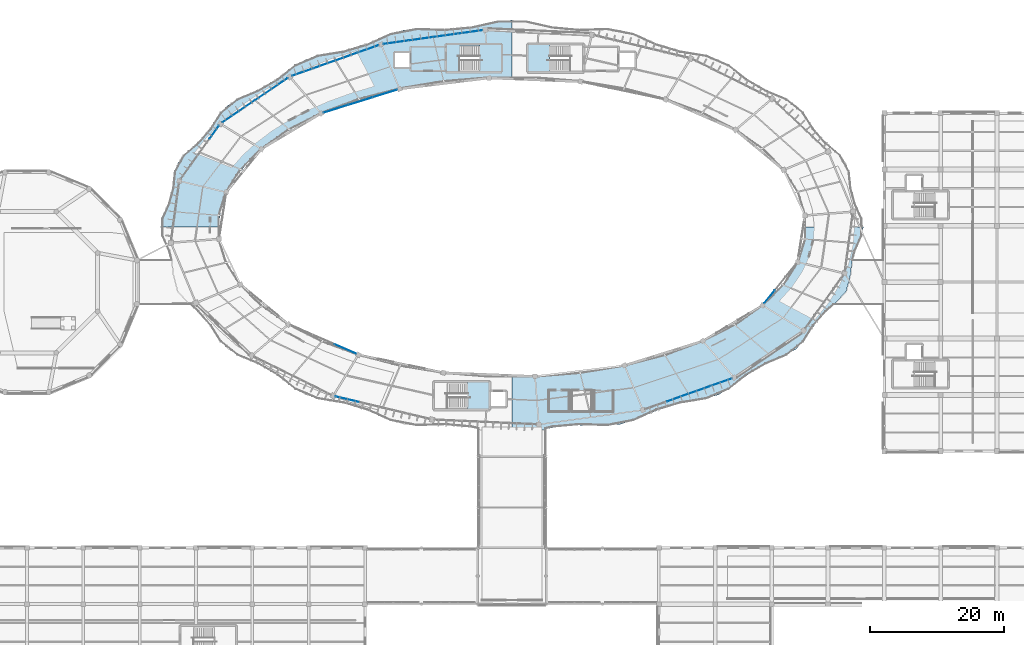
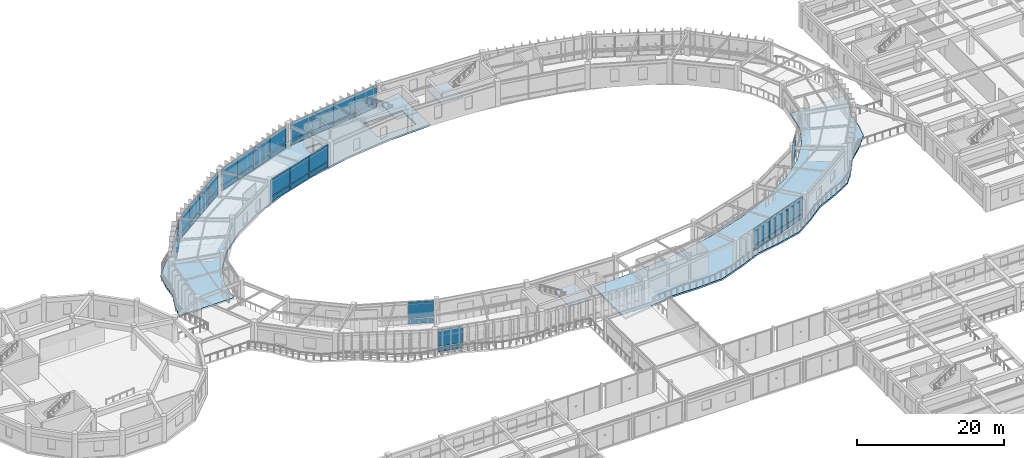
# One storey, part 114 of 152: 44 plates, 5 slabs, 12 elements without a shape of their own.
"""IFC4 building model written with IfcOpenShell, lengths in metres."""

from ifc_helpers import new_model, si_unit, direction, frame, origin, origin_2d, place, context, subcontext, project, spatial, polyline, rectangle, outline, extrude, material, layer, layer_set, type_object, element, aggregate, save


model = new_model("IFC4")

# Units and contexts
model_context = context("Model", 3, precision=1e-05, world=origin(), true_north=direction((0.0, 1.0)))
body_context = subcontext(model_context, "Body", "Model", "MODEL_VIEW")
ifc_project = project(units=[si_unit("LENGTHUNIT", "METRE"), si_unit("AREAUNIT", "SQUARE_METRE"), si_unit("VOLUMEUNIT", "CUBIC_METRE"), si_unit("PLANEANGLEUNIT", "RADIAN"), si_unit("MASSUNIT", "GRAM", prefix="KILO"), si_unit("THERMODYNAMICTEMPERATUREUNIT", "KELVIN"), si_unit("POWERUNIT", "WATT")], contexts=[model_context])

# Site, building, storey
site_placement = place(None, origin())
site = spatial("IfcSite", under=ifc_project, at=site_placement, CompositionType="ELEMENT")
building_placement = place(site_placement, origin())
building = spatial("IfcBuilding", under=site, at=building_placement, Name="Darbajah Civic Hall", CompositionType="ELEMENT")
storey_placement = place(building_placement, frame((0.0, 0.0, 5.39990234375)))
storey = spatial("IfcBuildingStorey", under=building, at=storey_placement, Name="L01", CompositionType="ELEMENT", Elevation=5.39990234375)

# Curtain wall, plates
ifc_material_1 = material(Name="Anodised Bronze Aluminium and Low-E Glazing", Category="aluminium")
curtain_wall_type_1 = type_object("IfcCurtainWallType", Name="Unitised Curtain Wall CW-23 14900x3900", PredefinedType="USERDEFINED", material=ifc_material_1)
curtain_wall_1_placement = place(storey_placement, origin())
curtain_wall_1 = element("IfcCurtainWall", 1, at=curtain_wall_1_placement, inside=storey, type_object=curtain_wall_type_1, Name="L01 unitised curtain wall CW-V1O-L01-05", ObjectType="UNITISED CURTAIN WALL", PredefinedType="USERDEFINED")
ifc_material_2 = material(Name="Low-E Solar Control Double Glazing", Category="glass")
ifc_layer_1 = layer(ifc_material_2, 0.02392578125, Name="Low-E Solar Control Double Glazing")
ifc_layer_set_1 = layer_set([ifc_layer_1], Name="Low-E Solar Control Double Glazing")
plate_type_1 = type_object("IfcPlateType", Name="Solar Double Glazing 24mm", PredefinedType="CURTAIN_PANEL", material=ifc_layer_set_1)
plate_1_placement = place(storey_placement, frame((82.879150390625, 118.90087890625, 0.10009765625), z_axis=(0.0, 0.0, 1.0), x_axis=(-0.990485459553, -0.137617420457, 0.0)))
plate_1 = element("IfcPlate", 2, at=plate_1_placement, type_object=plate_type_1, Name="CW-V1O-L01-05 glazed panel 1.1", PredefinedType="CURTAIN_PANEL", context=body_context, shape_type="SweptSolid", body=[
    extrude(rectangle(XDim=3.66259765625, YDim=0.02392578125, at=origin_2d()), origin(), (0.0, 0.0, 1.0), 0.800048828125),
])
plate_2_placement = place(storey_placement, frame((82.879150390625, 118.90087890625, 1.0), z_axis=(0.0, 0.0, 1.0), x_axis=(-0.990485459553, -0.137617420457, 0.0)))
plate_2 = element("IfcPlate", 3, at=plate_2_placement, type_object=plate_type_1, Name="CW-V1O-L01-05 glazed panel 1.2", PredefinedType="CURTAIN_PANEL", context=body_context, shape_type="SweptSolid", body=[
    extrude(rectangle(XDim=3.66259765625, YDim=0.02392578125, at=origin_2d()), origin(), (0.0, 0.0, 1.0), 2.820068359375),
])
plate_3_placement = place(storey_placement, frame((79.18701171875, 118.38818359375, 0.10009765625), z_axis=(0.0, 0.0, 1.0), x_axis=(-0.990485459553, -0.137617420457, 0.0)))
plate_3 = element("IfcPlate", 4, at=plate_3_placement, type_object=plate_type_1, Name="CW-V1O-L01-05 glazed panel 2.1", PredefinedType="CURTAIN_PANEL", context=body_context, shape_type="SweptSolid", body=[
    extrude(rectangle(XDim=3.66259765625, YDim=0.02392578125, at=origin_2d()), origin(), (0.0, 0.0, 1.0), 0.800048828125),
])
plate_4_placement = place(storey_placement, frame((79.18701171875, 118.38818359375, 1.0), z_axis=(0.0, 0.0, 1.0), x_axis=(-0.990485459553, -0.137617420457, 0.0)))
plate_4 = element("IfcPlate", 5, at=plate_4_placement, type_object=plate_type_1, Name="CW-V1O-L01-05 glazed panel 2.2", PredefinedType="CURTAIN_PANEL", context=body_context, shape_type="SweptSolid", body=[
    extrude(rectangle(XDim=3.66259765625, YDim=0.02392578125, at=origin_2d()), origin(), (0.0, 0.0, 1.0), 2.820068359375),
])
plate_5_placement = place(storey_placement, frame((75.494873046875, 117.87548828125, 0.10009765625), z_axis=(0.0, 0.0, 1.0), x_axis=(-0.990485459553, -0.137617420457, 0.0)))
plate_5 = element("IfcPlate", 6, at=plate_5_placement, type_object=plate_type_1, Name="CW-V1O-L01-05 glazed panel 3.1", PredefinedType="CURTAIN_PANEL", context=body_context, shape_type="SweptSolid", body=[
    extrude(rectangle(XDim=3.66259765625, YDim=0.02392578125, at=origin_2d()), origin(), (0.0, 0.0, 1.0), 0.800048828125),
])
plate_6_placement = place(storey_placement, frame((75.494873046875, 117.87548828125, 1.0), z_axis=(0.0, 0.0, 1.0), x_axis=(-0.990485459553, -0.137617420457, 0.0)))
plate_6 = element("IfcPlate", 7, at=plate_6_placement, type_object=plate_type_1, Name="CW-V1O-L01-05 glazed panel 3.2", PredefinedType="CURTAIN_PANEL", context=body_context, shape_type="SweptSolid", body=[
    extrude(rectangle(XDim=3.66259765625, YDim=0.02392578125, at=origin_2d()), origin(), (0.0, 0.0, 1.0), 2.820068359375),
])
plate_7_placement = place(storey_placement, frame((71.802490234375, 117.36279296875, 0.10009765625), z_axis=(0.0, 0.0, 1.0), x_axis=(-0.990485459553, -0.137617420457, 0.0)))
plate_7 = element("IfcPlate", 8, at=plate_7_placement, type_object=plate_type_1, Name="CW-V1O-L01-05 glazed panel 4.1", PredefinedType="CURTAIN_PANEL", context=body_context, shape_type="SweptSolid", body=[
    extrude(rectangle(XDim=3.66259765625, YDim=0.02392578125, at=origin_2d()), origin(), (0.0, 0.0, 1.0), 0.800048828125),
])
plate_8_placement = place(storey_placement, frame((71.802490234375, 117.36279296875, 1.0), z_axis=(0.0, 0.0, 1.0), x_axis=(-0.990485459553, -0.137617420457, 0.0)))
plate_8 = element("IfcPlate", 9, at=plate_8_placement, type_object=plate_type_1, Name="CW-V1O-L01-05 glazed panel 4.2", PredefinedType="CURTAIN_PANEL", context=body_context, shape_type="SweptSolid", body=[
    extrude(rectangle(XDim=3.66259765625, YDim=0.02392578125, at=origin_2d()), origin(), (0.0, 0.0, 1.0), 2.820068359375),
])
aggregate(curtain_wall_1, [plate_1, plate_2, plate_3, plate_4, plate_5, plate_6, plate_7, plate_8])

curtain_wall_type_2 = type_object("IfcCurtainWallType", Name="Unitised Curtain Wall CW-27 9700x3900", PredefinedType="USERDEFINED", material=ifc_material_1)
curtain_wall_2_placement = place(storey_placement, origin())
curtain_wall_2 = element("IfcCurtainWall", 10, at=curtain_wall_2_placement, inside=storey, type_object=curtain_wall_type_2, Name="L01 unitised curtain wall CW-V1O-L01-08", ObjectType="UNITISED CURTAIN WALL", PredefinedType="USERDEFINED")
plate_9_placement = place(storey_placement, frame((44.6875, 103.91796875, 0.10009765625), z_axis=(0.0, 0.0, 1.0), x_axis=(-0.582264874145, -0.812999149039, 0.0)))
plate_9 = element("IfcPlate", 11, at=plate_9_placement, type_object=plate_type_1, Name="CW-V1O-L01-08 glazed panel 1.1", PredefinedType="CURTAIN_PANEL", context=body_context, shape_type="SweptSolid", body=[
    extrude(rectangle(XDim=2.368408203125, YDim=0.02392578125, at=origin_2d()), origin(), (0.0, 0.0, 1.0), 0.800048828125),
])
plate_10_placement = place(storey_placement, frame((44.6875, 103.91796875, 1.0), z_axis=(0.0, 0.0, 1.0), x_axis=(-0.582264874145, -0.812999149039, 0.0)))
plate_10 = element("IfcPlate", 12, at=plate_10_placement, type_object=plate_type_1, Name="CW-V1O-L01-08 glazed panel 1.2", PredefinedType="CURTAIN_PANEL", context=body_context, shape_type="SweptSolid", body=[
    extrude(rectangle(XDim=2.368408203125, YDim=0.02392578125, at=origin_2d()), origin(), (0.0, 0.0, 1.0), 2.820068359375),
])
aggregate(curtain_wall_2, [plate_9, plate_10])

curtain_wall_type_3 = type_object("IfcCurtainWallType", Name="Unitised Curtain Wall CW-25 11500x3900", PredefinedType="USERDEFINED", material=ifc_material_1)
curtain_wall_3_placement = place(storey_placement, origin())
curtain_wall_3 = element("IfcCurtainWall", 13, at=curtain_wall_3_placement, inside=storey, type_object=curtain_wall_type_3, Name="L01 unitised curtain wall CW-V1I-L01-06", ObjectType="UNITISED CURTAIN WALL", PredefinedType="USERDEFINED")
ifc_layer_2 = layer(ifc_material_2, 0.028076171875, Name="Low-E Solar Control Double Glazing")
ifc_layer_set_2 = layer_set([ifc_layer_2], Name="Low-E Solar Control Double Glazing")
plate_type_2 = type_object("IfcPlateType", Name="Solar Double Glazing 28mm", PredefinedType="CURTAIN_PANEL", material=ifc_layer_set_2)
plate_11_placement = place(storey_placement, frame((70.1669921875, 109.72509765625, 0.1201171875), z_axis=(0.0, 0.0, 1.0), x_axis=(-0.954604963513, -0.297874744877, 0.0)))
plate_11 = element("IfcPlate", 14, at=plate_11_placement, type_object=plate_type_2, Name="CW-V1I-L01-06 glazed panel 1.1", PredefinedType="CURTAIN_PANEL", context=body_context, shape_type="SweptSolid", body=[
    extrude(rectangle(XDim=3.775390625, YDim=0.028076171875, at=origin_2d()), origin(), (0.0, 0.0, 1.0), 0.77001953125),
])
plate_12_placement = place(storey_placement, frame((70.1669921875, 109.72509765625, 1.010009765625), z_axis=(0.0, 0.0, 1.0), x_axis=(-0.954604963513, -0.297874744877, 0.0)))
plate_12 = element("IfcPlate", 15, at=plate_12_placement, type_object=plate_type_2, Name="CW-V1I-L01-06 glazed panel 1.2", PredefinedType="CURTAIN_PANEL", context=body_context, shape_type="SweptSolid", body=[
    extrude(rectangle(XDim=3.775390625, YDim=0.028076171875, at=origin_2d()), origin(), (0.0, 0.0, 1.0), 2.7900390625),
])
plate_13_placement = place(storey_placement, frame((66.496337890625, 108.579833984375, 0.1201171875), z_axis=(0.0, 0.0, 1.0), x_axis=(-0.954604963513, -0.297874744877, 0.0)))
plate_13 = element("IfcPlate", 16, at=plate_13_placement, type_object=plate_type_2, Name="CW-V1I-L01-06 glazed panel 2.1", PredefinedType="CURTAIN_PANEL", context=body_context, shape_type="SweptSolid", body=[
    extrude(rectangle(XDim=3.775390625, YDim=0.028076171875, at=origin_2d()), origin(), (0.0, 0.0, 1.0), 0.77001953125),
])
plate_14_placement = place(storey_placement, frame((66.496337890625, 108.579833984375, 1.010009765625), z_axis=(0.0, 0.0, 1.0), x_axis=(-0.954604963513, -0.297874744877, 0.0)))
plate_14 = element("IfcPlate", 17, at=plate_14_placement, type_object=plate_type_2, Name="CW-V1I-L01-06 glazed panel 2.2", PredefinedType="CURTAIN_PANEL", context=body_context, shape_type="SweptSolid", body=[
    extrude(rectangle(XDim=3.775390625, YDim=0.028076171875, at=origin_2d()), origin(), (0.0, 0.0, 1.0), 2.7900390625),
])
plate_15_placement = place(storey_placement, frame((62.82568359375, 107.4345703125, 0.1201171875), z_axis=(0.0, 0.0, 1.0), x_axis=(-0.954604963513, -0.297874744877, 0.0)))
plate_15 = element("IfcPlate", 18, at=plate_15_placement, type_object=plate_type_2, Name="CW-V1I-L01-06 glazed panel 3.1", PredefinedType="CURTAIN_PANEL", context=body_context, shape_type="SweptSolid", body=[
    extrude(rectangle(XDim=3.775390625, YDim=0.028076171875, at=origin_2d()), origin(), (0.0, 0.0, 1.0), 0.77001953125),
])
plate_16_placement = place(storey_placement, frame((62.82568359375, 107.4345703125, 1.010009765625), z_axis=(0.0, 0.0, 1.0), x_axis=(-0.954604963513, -0.297874744877, 0.0)))
plate_16 = element("IfcPlate", 19, at=plate_16_placement, type_object=plate_type_2, Name="CW-V1I-L01-06 glazed panel 3.2", PredefinedType="CURTAIN_PANEL", context=body_context, shape_type="SweptSolid", body=[
    extrude(rectangle(XDim=3.775390625, YDim=0.028076171875, at=origin_2d()), origin(), (0.0, 0.0, 1.0), 2.7900390625),
])
aggregate(curtain_wall_3, [plate_11, plate_12, plate_13, plate_14, plate_15, plate_16])

curtain_wall_type_4 = type_object("IfcCurtainWallType", Name="Unitised Curtain Wall CW-26 11800x3900", PredefinedType="USERDEFINED", material=ifc_material_1)
curtain_wall_4_placement = place(storey_placement, origin())
curtain_wall_4 = element("IfcCurtainWall", 20, at=curtain_wall_4_placement, inside=storey, type_object=curtain_wall_type_4, Name="L01 unitised curtain wall CW-V1O-L01-07", ObjectType="UNITISED CURTAIN WALL", PredefinedType="USERDEFINED")
plate_17_placement = place(storey_placement, frame((54.44873046875, 111.1962890625, 0.1201171875), z_axis=(0.0, 0.0, 1.0), x_axis=(-0.827962472047, -0.560783509816, 0.0)))
plate_17 = element("IfcPlate", 21, at=plate_17_placement, type_object=plate_type_2, Name="CW-V1O-L01-07 glazed panel 1.1", PredefinedType="CURTAIN_PANEL", context=body_context, shape_type="SweptSolid", body=[
    extrude(rectangle(XDim=2.870361328125, YDim=0.028076171875, at=origin_2d()), origin(), (0.0, 0.0, 1.0), 0.77001953125),
])
plate_18_placement = place(storey_placement, frame((54.44873046875, 111.1962890625, 1.010009765625), z_axis=(0.0, 0.0, 1.0), x_axis=(-0.827962472047, -0.560783509816, 0.0)))
plate_18 = element("IfcPlate", 22, at=plate_18_placement, type_object=plate_type_2, Name="CW-V1O-L01-07 glazed panel 1.2", PredefinedType="CURTAIN_PANEL", context=body_context, shape_type="SweptSolid", body=[
    extrude(rectangle(XDim=2.870361328125, YDim=0.028076171875, at=origin_2d()), origin(), (0.0, 0.0, 1.0), 2.7900390625),
])
plate_19_placement = place(storey_placement, frame((52.013916015625, 109.54736328125, 0.1201171875), z_axis=(0.0, 0.0, 1.0), x_axis=(-0.827962472047, -0.560783509816, 0.0)))
plate_19 = element("IfcPlate", 23, at=plate_19_placement, type_object=plate_type_2, Name="CW-V1O-L01-07 glazed panel 2.1", PredefinedType="CURTAIN_PANEL", context=body_context, shape_type="SweptSolid", body=[
    extrude(rectangle(XDim=2.870361328125, YDim=0.028076171875, at=origin_2d()), origin(), (0.0, 0.0, 1.0), 0.77001953125),
])
plate_20_placement = place(storey_placement, frame((52.013916015625, 109.54736328125, 1.010009765625), z_axis=(0.0, 0.0, 1.0), x_axis=(-0.827962472047, -0.560783509816, 0.0)))
plate_20 = element("IfcPlate", 24, at=plate_20_placement, type_object=plate_type_2, Name="CW-V1O-L01-07 glazed panel 2.2", PredefinedType="CURTAIN_PANEL", context=body_context, shape_type="SweptSolid", body=[
    extrude(rectangle(XDim=2.870361328125, YDim=0.028076171875, at=origin_2d()), origin(), (0.0, 0.0, 1.0), 2.7900390625),
])
plate_21_placement = place(storey_placement, frame((49.57958984375, 107.8984375, 0.1201171875), z_axis=(0.0, 0.0, 1.0), x_axis=(-0.827962472047, -0.560783509816, 0.0)))
plate_21 = element("IfcPlate", 25, at=plate_21_placement, type_object=plate_type_2, Name="CW-V1O-L01-07 glazed panel 3.1", PredefinedType="CURTAIN_PANEL", context=body_context, shape_type="SweptSolid", body=[
    extrude(rectangle(XDim=2.870361328125, YDim=0.028076171875, at=origin_2d()), origin(), (0.0, 0.0, 1.0), 0.77001953125),
])
plate_22_placement = place(storey_placement, frame((49.57958984375, 107.8984375, 1.010009765625), z_axis=(0.0, 0.0, 1.0), x_axis=(-0.827962472047, -0.560783509816, 0.0)))
plate_22 = element("IfcPlate", 26, at=plate_22_placement, type_object=plate_type_2, Name="CW-V1O-L01-07 glazed panel 3.2", PredefinedType="CURTAIN_PANEL", context=body_context, shape_type="SweptSolid", body=[
    extrude(rectangle(XDim=2.870361328125, YDim=0.028076171875, at=origin_2d()), origin(), (0.0, 0.0, 1.0), 2.7900390625),
])
plate_23_placement = place(storey_placement, frame((47.144775390625, 106.24951171875, 0.1201171875), z_axis=(0.0, 0.0, 1.0), x_axis=(-0.827962472047, -0.560783509816, 0.0)))
plate_23 = element("IfcPlate", 27, at=plate_23_placement, type_object=plate_type_2, Name="CW-V1O-L01-07 glazed panel 4.1", PredefinedType="CURTAIN_PANEL", context=body_context, shape_type="SweptSolid", body=[
    extrude(rectangle(XDim=2.870361328125, YDim=0.028076171875, at=origin_2d()), origin(), (0.0, 0.0, 1.0), 0.77001953125),
])
plate_24_placement = place(storey_placement, frame((47.144775390625, 106.24951171875, 1.010009765625), z_axis=(0.0, 0.0, 1.0), x_axis=(-0.827962472047, -0.560783509816, 0.0)))
plate_24 = element("IfcPlate", 28, at=plate_24_placement, type_object=plate_type_2, Name="CW-V1O-L01-07 glazed panel 4.2", PredefinedType="CURTAIN_PANEL", context=body_context, shape_type="SweptSolid", body=[
    extrude(rectangle(XDim=2.870361328125, YDim=0.028076171875, at=origin_2d()), origin(), (0.0, 0.0, 1.0), 2.7900390625),
])
aggregate(curtain_wall_4, [plate_17, plate_18, plate_19, plate_20, plate_21, plate_22, plate_23, plate_24])

curtain_wall_type_5 = type_object("IfcCurtainWallType", Name="Unitised Curtain Wall CW-19 10700x3900", PredefinedType="USERDEFINED", material=ifc_material_1)
curtain_wall_5_placement = place(storey_placement, origin())
curtain_wall_5 = element("IfcCurtainWall", 29, at=curtain_wall_5_placement, inside=storey, type_object=curtain_wall_type_5, Name="L01 unitised curtain wall CW-V1I-L01-12", ObjectType="UNITISED CURTAIN WALL", PredefinedType="USERDEFINED")
plate_25_placement = place(storey_placement, frame((64.2626953125, 71.635009765625, 0.1201171875), z_axis=(0.0, 0.0, 1.0), x_axis=(0.917060074385, -0.398749068925, 0.0)))
plate_25 = element("IfcPlate", 30, at=plate_25_placement, type_object=plate_type_2, Name="CW-V1I-L01-12 glazed panel 3.1", PredefinedType="CURTAIN_PANEL", context=body_context, shape_type="SweptSolid", body=[
    extrude(rectangle(XDim=3.48291015625, YDim=0.028076171875, at=origin_2d()), origin(), (0.0, 0.0, 1.0), 0.77001953125),
])
plate_26_placement = place(storey_placement, frame((64.2626953125, 71.635009765625, 1.010009765625), z_axis=(0.0, 0.0, 1.0), x_axis=(0.917060074385, -0.398749068925, 0.0)))
plate_26 = element("IfcPlate", 31, at=plate_26_placement, type_object=plate_type_2, Name="CW-V1I-L01-12 glazed panel 3.2", PredefinedType="CURTAIN_PANEL", context=body_context, shape_type="SweptSolid", body=[
    extrude(rectangle(XDim=3.48291015625, YDim=0.028076171875, at=origin_2d()), origin(), (0.0, 0.0, 1.0), 2.7900390625),
])
aggregate(curtain_wall_5, [plate_25, plate_26])

curtain_wall_type_6 = type_object("IfcCurtainWallType", Name="Unitised Curtain Wall CW-31 14400x3900", PredefinedType="USERDEFINED", material=ifc_material_1)
curtain_wall_6_placement = place(storey_placement, origin())
curtain_wall_6 = element("IfcCurtainWall", 32, at=curtain_wall_6_placement, inside=storey, type_object=curtain_wall_type_6, Name="L01 unitised curtain wall CW-V1O-L01-13", ObjectType="UNITISED CURTAIN WALL", PredefinedType="USERDEFINED")
plate_27_placement = place(storey_placement, frame((64.5703125, 64.139892578125, 0.1201171875), z_axis=(0.0, 0.0, 1.0), x_axis=(0.972492018808, -0.232936200179, 0.0)))
plate_27 = element("IfcPlate", 33, at=plate_27_placement, type_object=plate_type_2, Name="CW-V1O-L01-13 glazed panel 1.1", PredefinedType="CURTAIN_PANEL", context=body_context, shape_type="SweptSolid", body=[
    extrude(rectangle(XDim=3.53125, YDim=0.028076171875, at=origin_2d()), origin(), (0.0, 0.0, 1.0), 0.77001953125),
])
plate_28_placement = place(storey_placement, frame((64.5703125, 64.139892578125, 1.010009765625), z_axis=(0.0, 0.0, 1.0), x_axis=(0.972492018808, -0.232936200179, 0.0)))
plate_28 = element("IfcPlate", 34, at=plate_28_placement, type_object=plate_type_2, Name="CW-V1O-L01-13 glazed panel 1.2", PredefinedType="CURTAIN_PANEL", context=body_context, shape_type="SweptSolid", body=[
    extrude(rectangle(XDim=3.53125, YDim=0.028076171875, at=origin_2d()), origin(), (0.0, 0.0, 1.0), 2.7900390625),
])
aggregate(curtain_wall_6, [plate_27, plate_28])

curtain_wall_type_7 = type_object("IfcCurtainWallType", Name="Unitised Curtain Wall CW-33 13700x3900", PredefinedType="USERDEFINED", material=ifc_material_1)
curtain_wall_7_placement = place(storey_placement, origin())
curtain_wall_7 = element("IfcCurtainWall", 35, at=curtain_wall_7_placement, inside=storey, type_object=curtain_wall_type_7, Name="L01 unitised curtain wall CW-V1O-L01-16", ObjectType="UNITISED CURTAIN WALL", PredefinedType="USERDEFINED")
plate_29_placement = place(storey_placement, frame((113.8076171875, 64.385498046875, 0.1201171875), z_axis=(0.0, 0.0, 1.0), x_axis=(0.94252491309, 0.334135882844, 0.0)))
plate_29 = element("IfcPlate", 36, at=plate_29_placement, type_object=plate_type_2, Name="CW-V1O-L01-16 glazed panel 2.1", PredefinedType="CURTAIN_PANEL", context=body_context, shape_type="SweptSolid", body=[
    extrude(rectangle(XDim=3.35009765625, YDim=0.028076171875, at=origin_2d()), origin(), (0.0, 0.0, 1.0), 0.77001953125),
])
plate_30_placement = place(storey_placement, frame((113.8076171875, 64.385498046875, 1.010009765625), z_axis=(0.0, 0.0, 1.0), x_axis=(0.94252491309, 0.334135882844, 0.0)))
plate_30 = element("IfcPlate", 37, at=plate_30_placement, type_object=plate_type_2, Name="CW-V1O-L01-16 glazed panel 2.2", PredefinedType="CURTAIN_PANEL", context=body_context, shape_type="SweptSolid", body=[
    extrude(rectangle(XDim=3.35009765625, YDim=0.028076171875, at=origin_2d()), origin(), (0.0, 0.0, 1.0), 2.7900390625),
])
plate_31_placement = place(storey_placement, frame((117.03125, 65.528076171875, 0.1201171875), z_axis=(0.0, 0.0, 1.0), x_axis=(0.94252491309, 0.334135882844, 0.0)))
plate_31 = element("IfcPlate", 38, at=plate_31_placement, type_object=plate_type_2, Name="CW-V1O-L01-16 glazed panel 3.1", PredefinedType="CURTAIN_PANEL", context=body_context, shape_type="SweptSolid", body=[
    extrude(rectangle(XDim=3.35009765625, YDim=0.028076171875, at=origin_2d()), origin(), (0.0, 0.0, 1.0), 0.77001953125),
])
plate_32_placement = place(storey_placement, frame((117.03125, 65.528076171875, 1.010009765625), z_axis=(0.0, 0.0, 1.0), x_axis=(0.94252491309, 0.334135882844, 0.0)))
plate_32 = element("IfcPlate", 39, at=plate_32_placement, type_object=plate_type_2, Name="CW-V1O-L01-16 glazed panel 3.2", PredefinedType="CURTAIN_PANEL", context=body_context, shape_type="SweptSolid", body=[
    extrude(rectangle(XDim=3.35009765625, YDim=0.028076171875, at=origin_2d()), origin(), (0.0, 0.0, 1.0), 2.7900390625),
])
plate_33_placement = place(storey_placement, frame((120.2548828125, 66.670654296875, 0.1201171875), z_axis=(0.0, 0.0, 1.0), x_axis=(0.94252491309, 0.334135882844, 0.0)))
plate_33 = element("IfcPlate", 40, at=plate_33_placement, type_object=plate_type_2, Name="CW-V1O-L01-16 glazed panel 4.1", PredefinedType="CURTAIN_PANEL", context=body_context, shape_type="SweptSolid", body=[
    extrude(rectangle(XDim=3.35009765625, YDim=0.028076171875, at=origin_2d()), origin(), (0.0, 0.0, 1.0), 0.77001953125),
])
plate_34_placement = place(storey_placement, frame((120.2548828125, 66.670654296875, 1.010009765625), z_axis=(0.0, 0.0, 1.0), x_axis=(0.94252491309, 0.334135882844, 0.0)))
plate_34 = element("IfcPlate", 41, at=plate_34_placement, type_object=plate_type_2, Name="CW-V1O-L01-16 glazed panel 4.2", PredefinedType="CURTAIN_PANEL", context=body_context, shape_type="SweptSolid", body=[
    extrude(rectangle(XDim=3.35009765625, YDim=0.028076171875, at=origin_2d()), origin(), (0.0, 0.0, 1.0), 2.7900390625),
])
aggregate(curtain_wall_7, [plate_29, plate_30, plate_31, plate_32, plate_33, plate_34])

curtain_wall_type_8 = type_object("IfcCurtainWallType", Name="Unitised Curtain Wall CW-35 7600x3900", PredefinedType="USERDEFINED", material=ifc_material_1)
curtain_wall_8_placement = place(storey_placement, origin())
curtain_wall_8 = element("IfcCurtainWall", 42, at=curtain_wall_8_placement, inside=storey, type_object=curtain_wall_type_8, Name="L01 unitised curtain wall CW-V1I-L01-18", ObjectType="UNITISED CURTAIN WALL", PredefinedType="USERDEFINED")
plate_35_placement = place(storey_placement, frame((127.4677734375, 79.404541015625, 0.1201171875), z_axis=(0.0, 0.0, 1.0), x_axis=(0.63108205791, 0.775716079622, 0.0)))
plate_35 = element("IfcPlate", 43, at=plate_35_placement, type_object=plate_type_2, Name="CW-V1I-L01-18 glazed panel 1.1", PredefinedType="CURTAIN_PANEL", context=body_context, shape_type="SweptSolid", body=[
    extrude(rectangle(XDim=2.46533203125, YDim=0.028076171875, at=origin_2d()), origin(), (0.0, 0.0, 1.0), 0.77001953125),
])
plate_36_placement = place(storey_placement, frame((127.4677734375, 79.404541015625, 1.010009765625), z_axis=(0.0, 0.0, 1.0), x_axis=(0.63108205791, 0.775716079622, 0.0)))
plate_36 = element("IfcPlate", 44, at=plate_36_placement, type_object=plate_type_2, Name="CW-V1I-L01-18 glazed panel 1.2", PredefinedType="CURTAIN_PANEL", context=body_context, shape_type="SweptSolid", body=[
    extrude(rectangle(XDim=2.46533203125, YDim=0.028076171875, at=origin_2d()), origin(), (0.0, 0.0, 1.0), 2.7900390625),
])
aggregate(curtain_wall_8, [plate_35, plate_36])

curtain_wall_type_9 = type_object("IfcCurtainWallType", Name="Unitised Curtain Wall CW-24 13700x3900", PredefinedType="USERDEFINED", material=ifc_material_1)
curtain_wall_9_placement = place(storey_placement, origin())
curtain_wall_9 = element("IfcCurtainWall", 45, at=curtain_wall_9_placement, inside=storey, type_object=curtain_wall_type_9, Name="L01 unitised curtain wall CW-V1O-L01-06", ObjectType="UNITISED CURTAIN WALL", PredefinedType="USERDEFINED")
ifc_layer_3 = layer(ifc_material_2, 0.031982421875, Name="Low-E Solar Control Double Glazing")
ifc_layer_set_3 = layer_set([ifc_layer_3], Name="Low-E Solar Control Double Glazing")
plate_type_3 = type_object("IfcPlateType", Name="Solar Double Glazing 32mm", PredefinedType="CURTAIN_PANEL", material=ifc_layer_set_3)
plate_37_placement = place(storey_placement, frame((67.615966796875, 116.357177734375, 0.14013671875), z_axis=(0.0, 0.0, 1.0), x_axis=(-0.94252491309, -0.334135882844, 0.0)))
plate_37 = element("IfcPlate", 46, at=plate_37_placement, type_object=plate_type_3, Name="CW-V1O-L01-06 glazed panel 1.1", PredefinedType="CURTAIN_PANEL", context=body_context, shape_type="SweptSolid", body=[
    extrude(rectangle(XDim=3.34521484375, YDim=0.031982421875, at=origin_2d()), origin(), (0.0, 0.0, 1.0), 0.739990234375),
])
plate_38_placement = place(storey_placement, frame((67.615966796875, 116.357177734375, 1.02001953125), z_axis=(0.0, 0.0, 1.0), x_axis=(-0.94252491309, -0.334135882844, 0.0)))
plate_38 = element("IfcPlate", 47, at=plate_38_placement, type_object=plate_type_3, Name="CW-V1O-L01-06 glazed panel 1.2", PredefinedType="CURTAIN_PANEL", context=body_context, shape_type="SweptSolid", body=[
    extrude(rectangle(XDim=3.34521484375, YDim=0.031982421875, at=origin_2d()), origin(), (0.0, 0.0, 1.0), 2.760009765625),
])
plate_39_placement = place(storey_placement, frame((64.392333984375, 115.214599609375, 0.14013671875), z_axis=(0.0, 0.0, 1.0), x_axis=(-0.94252491309, -0.334135882844, 0.0)))
plate_39 = element("IfcPlate", 48, at=plate_39_placement, type_object=plate_type_3, Name="CW-V1O-L01-06 glazed panel 2.1", PredefinedType="CURTAIN_PANEL", context=body_context, shape_type="SweptSolid", body=[
    extrude(rectangle(XDim=3.34521484375, YDim=0.031982421875, at=origin_2d()), origin(), (0.0, 0.0, 1.0), 0.739990234375),
])
plate_40_placement = place(storey_placement, frame((64.392333984375, 115.214599609375, 1.02001953125), z_axis=(0.0, 0.0, 1.0), x_axis=(-0.94252491309, -0.334135882844, 0.0)))
plate_40 = element("IfcPlate", 49, at=plate_40_placement, type_object=plate_type_3, Name="CW-V1O-L01-06 glazed panel 2.2", PredefinedType="CURTAIN_PANEL", context=body_context, shape_type="SweptSolid", body=[
    extrude(rectangle(XDim=3.34521484375, YDim=0.031982421875, at=origin_2d()), origin(), (0.0, 0.0, 1.0), 2.760009765625),
])
plate_41_placement = place(storey_placement, frame((61.168701171875, 114.072021484375, 0.14013671875), z_axis=(0.0, 0.0, 1.0), x_axis=(-0.94252491309, -0.334135882844, 0.0)))
plate_41 = element("IfcPlate", 50, at=plate_41_placement, type_object=plate_type_3, Name="CW-V1O-L01-06 glazed panel 3.1", PredefinedType="CURTAIN_PANEL", context=body_context, shape_type="SweptSolid", body=[
    extrude(rectangle(XDim=3.34521484375, YDim=0.031982421875, at=origin_2d()), origin(), (0.0, 0.0, 1.0), 0.739990234375),
])
plate_42_placement = place(storey_placement, frame((61.168701171875, 114.072021484375, 1.02001953125), z_axis=(0.0, 0.0, 1.0), x_axis=(-0.94252491309, -0.334135882844, 0.0)))
plate_42 = element("IfcPlate", 51, at=plate_42_placement, type_object=plate_type_3, Name="CW-V1O-L01-06 glazed panel 3.2", PredefinedType="CURTAIN_PANEL", context=body_context, shape_type="SweptSolid", body=[
    extrude(rectangle(XDim=3.34521484375, YDim=0.031982421875, at=origin_2d()), origin(), (0.0, 0.0, 1.0), 2.760009765625),
])
plate_43_placement = place(storey_placement, frame((57.9453125, 112.92919921875, 0.14013671875), z_axis=(0.0, 0.0, 1.0), x_axis=(-0.94252491309, -0.334135882844, 0.0)))
plate_43 = element("IfcPlate", 52, at=plate_43_placement, type_object=plate_type_3, Name="CW-V1O-L01-06 glazed panel 4.1", PredefinedType="CURTAIN_PANEL", context=body_context, shape_type="SweptSolid", body=[
    extrude(rectangle(XDim=3.34521484375, YDim=0.031982421875, at=origin_2d()), origin(), (0.0, 0.0, 1.0), 0.739990234375),
])
plate_44_placement = place(storey_placement, frame((57.9453125, 112.92919921875, 1.02001953125), z_axis=(0.0, 0.0, 1.0), x_axis=(-0.94252491309, -0.334135882844, 0.0)))
plate_44 = element("IfcPlate", 53, at=plate_44_placement, type_object=plate_type_3, Name="CW-V1O-L01-06 glazed panel 4.2", PredefinedType="CURTAIN_PANEL", context=body_context, shape_type="SweptSolid", body=[
    extrude(rectangle(XDim=3.34521484375, YDim=0.031982421875, at=origin_2d()), origin(), (0.0, 0.0, 1.0), 2.760009765625),
])
aggregate(curtain_wall_9, [plate_37, plate_38, plate_39, plate_40, plate_41, plate_42, plate_43, plate_44])

# Stair, slab
ifc_material_3 = material(Name="Concrete C45/55", Category="concrete")
stair_type = type_object("IfcStairType", Name="Half Turn Stair 1650x4200", PredefinedType="HALF_TURN_STAIR", material=ifc_material_3)
stair_1_placement = place(storey_placement, origin())
stair_1 = element("IfcStair", 54, at=stair_1_placement, inside=storey, type_object=stair_type, Name="L01 enclosed exit stair ST01", PredefinedType="HALF_TURN_STAIR")
ifc_layer_4 = layer(ifc_material_3, 0.199951171875, Name="Concrete C45/55")
ifc_layer_set_4 = layer_set([ifc_layer_4], Name="Concrete C45/55")
slab_type_1 = type_object("IfcSlabType", Name="Stair Landing Slab 200mm", PredefinedType="LANDING", material=ifc_layer_set_4)
slab_1_placement = place(storey_placement, frame((0.0, 0.0, 1.900146484375)))
slab_1 = element("IfcSlab", 55, at=slab_1_placement, type_object=slab_type_1, Name="ST01 L01 half-landing", PredefinedType="LANDING", context=body_context, shape_type="SweptSolid", body=[
    extrude(outline(polyline([(84.239990234375, 112.89990234375), (87.60009765625, 112.89990234375), (87.60009765625, 117.10009765625), (84.239990234375, 117.10009765625), (84.239990234375, 112.89990234375)])), origin(), (0.0, 0.0, 1.0), 0.199951171875),
])
aggregate(stair_1, [slab_1])

stair_2_placement = place(storey_placement, origin())
stair_2 = element("IfcStair", 56, at=stair_2_placement, inside=storey, type_object=stair_type, Name="L01 enclosed exit stair ST02", PredefinedType="HALF_TURN_STAIR")
slab_2_placement = place(storey_placement, frame((0.0, 0.0, 1.900146484375)))
slab_2 = element("IfcSlab", 57, at=slab_2_placement, type_object=slab_type_1, Name="ST02 L01 half-landing", PredefinedType="LANDING", context=body_context, shape_type="SweptSolid", body=[
    extrude(outline(polyline([(91.39990234375, 112.89990234375), (94.760009765625, 112.89990234375), (94.760009765625, 117.10009765625), (91.39990234375, 117.10009765625), (91.39990234375, 112.89990234375)])), origin(), (0.0, 0.0, 1.0), 0.199951171875),
])
aggregate(stair_2, [slab_2])

stair_3_placement = place(storey_placement, origin())
stair_3 = element("IfcStair", 58, at=stair_3_placement, inside=storey, type_object=stair_type, Name="L01 enclosed exit stair ST03", PredefinedType="HALF_TURN_STAIR")
slab_3_placement = place(storey_placement, frame((0.0, 0.0, 1.900146484375)))
slab_3 = element("IfcSlab", 59, at=slab_3_placement, type_object=slab_type_1, Name="ST03 L01 half-landing", PredefinedType="LANDING", context=body_context, shape_type="SweptSolid", body=[
    extrude(outline(polyline([(82.43994140625, 62.60009765625), (85.800048828125, 62.60009765625), (85.800048828125, 66.800048828125), (82.43994140625, 66.800048828125), (82.43994140625, 62.60009765625)])), origin(), (0.0, 0.0, 1.0), 0.199951171875),
])
aggregate(stair_3, [slab_3])

# Slabs
ifc_layer_5 = layer(ifc_material_3, 0.280029296875, Name="Concrete C45/55")
ifc_layer_set_5 = layer_set([ifc_layer_5], Name="Concrete C45/55")
slab_type_2 = type_object("IfcSlabType", Name="Structural Floor Slab 280mm", PredefinedType="FLOOR", material=ifc_layer_set_5)
slab_4_placement = place(storey_placement, frame((0.0, 0.0, -0.27978515625)))
element("IfcSlab", 60, at=slab_4_placement, inside=storey, type_object=slab_type_2, Name="L01 Oval Administration Ring NW floor slab", PredefinedType="FLOOR", context=body_context, shape_type="SweptSolid", body=[
    extrude(outline(polyline([(89.10009765625, 120.68701171875), (85.029541015625, 120.086181640625), (81.0634765625, 119.30517578125), (76.989013671875, 119.340576171875), (72.91162109375, 119.17529296875), (69.246337890625, 117.867431640625), (65.777099609375, 116.4169921875), (61.992919921875, 115.703125), (58.3076171875, 114.7880859375), (55.406494140625, 112.901123046875), (52.773681640625, 110.92333984375), (49.650146484375, 109.5302734375), (46.718017578125, 107.954833984375), (44.864990234375, 105.673583984375), (43.326416015625, 103.362060546875), (41.169189453125, 101.42578125), (39.277099609375, 99.344482421875), (38.6533203125, 96.89208984375), (38.359619140625, 94.47314453125), (37.3798828125, 92.18359375), (36.712890625, 89.800048828125), (45.320068359375, 89.800048828125), (45.85888671875, 93.285400390625), (47.462646484375, 96.684814453125), (50.091796875, 99.914794921875), (53.68115234375, 102.89599609375), (58.142822265625, 105.55419921875), (63.36669921875, 107.824951171875), (69.224365234375, 109.651611328125), (75.5712890625, 110.989501953125), (82.251220703125, 111.8056640625), (89.10009765625, 112.080078125), (89.10009765625, 120.68701171875)]), holes=[polyline([(81.3798828125, 116.8798828125), (87.4599609375, 116.8798828125), (87.4599609375, 113.1201171875), (81.3798828125, 113.1201171875), (81.3798828125, 116.8798828125)]), polyline([(71.64990234375, 115.75), (73.85009765625, 115.75), (73.85009765625, 113.64990234375), (71.64990234375, 113.64990234375), (71.64990234375, 115.75)])]), origin(), (0.0, 0.0, 1.0), 0.27978515625),
])
slab_5_placement = place(storey_placement, frame((0.0, 0.0, -0.27978515625)))
element("IfcSlab", 61, at=slab_5_placement, inside=storey, type_object=slab_type_2, Name="L01 Oval Administration Ring SE floor slab", PredefinedType="FLOOR", context=body_context, shape_type="SweptSolid", body=[
    extrude(outline(polyline([(89.10009765625, 58.9130859375), (93.17041015625, 59.513671875), (97.136474609375, 60.294921875), (101.211181640625, 60.259521484375), (105.28857421875, 60.4248046875), (108.95361328125, 61.732421875), (112.4228515625, 63.18310546875), (116.207275390625, 63.896728515625), (119.892333984375, 64.81201171875), (122.79345703125, 66.698974609375), (125.42626953125, 68.676513671875), (128.5498046875, 70.06982421875), (131.48193359375, 71.64501953125), (133.3349609375, 73.926513671875), (134.873779296875, 76.23779296875), (137.031005859375, 78.174072265625), (138.923095703125, 80.25537109375), (139.546630859375, 82.7080078125), (139.840576171875, 85.126708984375), (140.820068359375, 87.41650390625), (141.487060546875, 89.800048828125), (132.8798828125, 89.800048828125), (132.341064453125, 86.314697265625), (130.7373046875, 82.9150390625), (128.1083984375, 79.68505859375), (124.518798828125, 76.7041015625), (120.05712890625, 74.045654296875), (114.833251953125, 71.775146484375), (108.9755859375, 69.948486328125), (102.62890625, 68.610595703125), (95.94873046875, 67.794189453125), (89.10009765625, 67.52001953125), (89.10009765625, 58.9130859375)])), origin(), (0.0, 0.0, 1.0), 0.27978515625),
])

save(model, "model.ifc")
